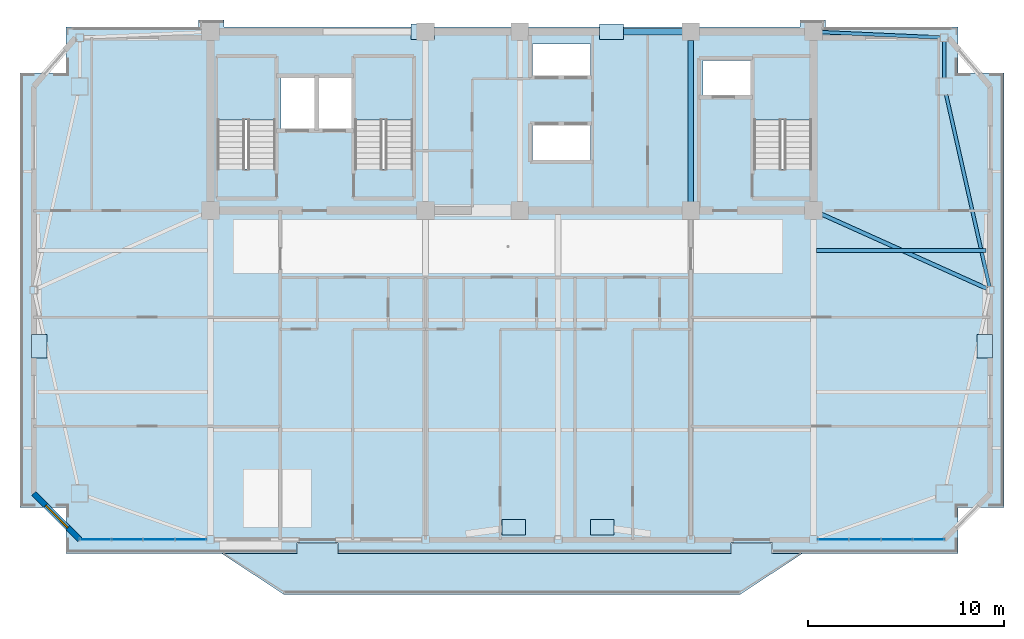
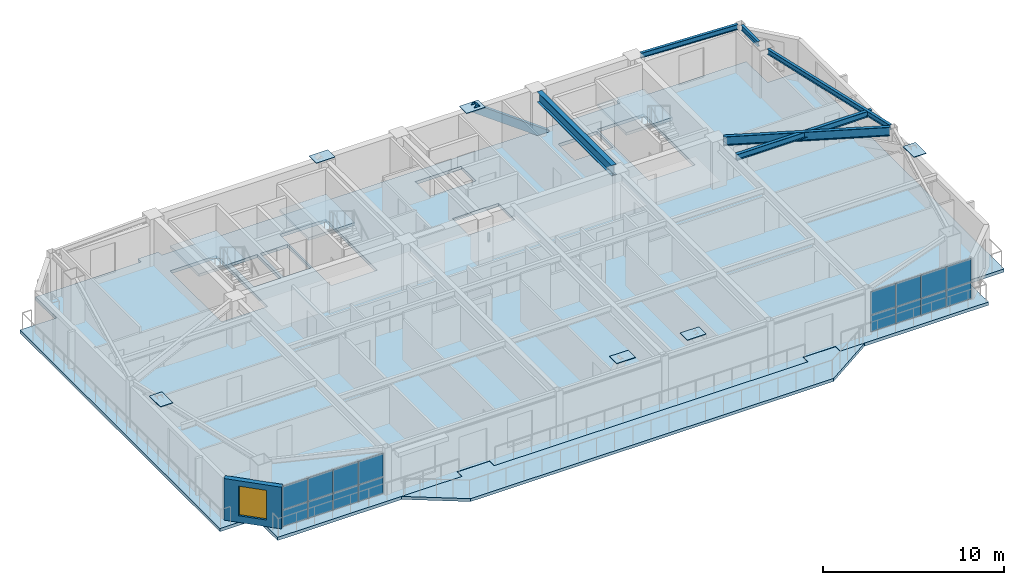
# One storey, part 5 of 14: 22 plates, 6 beams, 5 slabs, 1 member, 1 wall, 1 window, 1 opening, 5 elements without a shape of their own.
"""IFC4 building model written with IfcOpenShell, lengths in metres."""

from ifc_helpers import new_model, si_unit, direction, frame, frame_2d, origin, origin_2d, place, context, subcontext, project, spatial, polyline, rectangle, hollow_rectangle, i_section, outline, extrude, source, transform, mapped, material, layer, layer_set, material_profile, profile_set, type_object, element, fill, aggregate, save


model = new_model("IFC4")

# Units and contexts
model_context = context("Model", 3, precision=1e-05, world=origin(), true_north=direction((0.0, 1.0)))
body_context = subcontext(model_context, "Body", "Model", "MODEL_VIEW")
ifc_project = project(units=[si_unit("LENGTHUNIT", "METRE"), si_unit("AREAUNIT", "SQUARE_METRE"), si_unit("VOLUMEUNIT", "CUBIC_METRE"), si_unit("PLANEANGLEUNIT", "RADIAN"), si_unit("MASSUNIT", "GRAM", prefix="KILO")], contexts=[model_context])

# Site, building, storey
site_placement = place(None, origin())
site = spatial("IfcSite", under=ifc_project, at=site_placement, CompositionType="ELEMENT")
building_placement = place(site_placement, origin())
building = spatial("IfcBuilding", under=site, at=building_placement, Name="Giltprow Tower", CompositionType="ELEMENT")
storey_placement = place(building_placement, frame((0.0, 0.0, 317.60009765625)))
storey = spatial("IfcBuildingStorey", under=building, at=storey_placement, Name="L82", CompositionType="ELEMENT", Elevation=317.60009765625)

# Beams
ifc_material_1 = material(Name="Structural steel Q355B", Category="steel")
ifc_material_profile_1 = material_profile(ifc_material_1, i_section(OverallWidth=0.300048828125, OverallDepth=0.699951171875, WebThickness=0.012939453125, FlangeThickness=0.02392578125, at=origin_2d()), Name="HN 700x300x13x24")
ifc_profile_set_1 = profile_set([ifc_material_profile_1], Name="Structural steel Q355B")
beam_type_1 = type_object("IfcBeamType", Name="BM-GIRD-HN700", PredefinedType="BEAM", material=ifc_profile_set_1)
shared_shape_1 = source(origin(), body_context, "Body", "SweptSolid", [
    extrude(i_section(OverallWidth=0.300048828125, OverallDepth=0.699951171875, WebThickness=0.012939453125, FlangeThickness=0.02392578125, at=origin_2d()), origin(), (0.0, 0.0, 1.0), 8.22998046875),
])
beam_1_placement = place(storey_placement, frame((44.300048828125, 37.885009765625, 2.8349609375), z_axis=(0.0, 1.0, 0.0), x_axis=(-1.0, 0.0, 0.0)))
element("IfcBeam", 1, at=beam_1_placement, inside=storey, type_object=beam_type_1, Name="L82 Core Tie Girder M3", PredefinedType="BEAM", context=body_context, shape_type="MappedRepresentation", body=[
    mapped(shared_shape_1, transform((0.0, 0.0, 0.0), x_axis=(1.0, 0.0, 0.0), y_axis=(0.0, 1.0, 0.0), z_axis=(0.0, 0.0, 1.0), scale=1.0)),
])
ifc_material_profile_2 = material_profile(ifc_material_1, i_section(OverallWidth=0.175048828125, OverallDepth=0.35009765625, WebThickness=0.007080078125, FlangeThickness=0.010986328125, at=origin_2d()), Name="HN 350x175x7x11")
ifc_profile_set_2 = profile_set([ifc_material_profile_2], Name="Structural steel Q355B")
beam_type_2 = type_object("IfcBeamType", Name="BM-SPAN-HN350", PredefinedType="SPANDREL", material=ifc_profile_set_2)
shared_shape_2 = source(origin(), body_context, "Body", "SweptSolid", [
    extrude(i_section(OverallWidth=0.175048828125, OverallDepth=0.35009765625, WebThickness=0.007080078125, FlangeThickness=0.010986328125, at=origin_2d()), origin(), (0.0, 0.0, 1.0), 10.0009765625),
])
beam_2_placement = place(storey_placement, frame((59.5048828125, 33.58203125, 3.010009765625), z_axis=(-0.22006980481, 0.975484126478, 0.0), x_axis=(-0.975484126478, -0.22006980481, 0.0)))
element("IfcBeam", 2, at=beam_2_placement, inside=storey, type_object=beam_type_2, Name="L82 Perimeter Spandrel Beam E_MID-MC_NE", PredefinedType="SPANDREL", context=body_context, shape_type="MappedRepresentation", body=[
    mapped(shared_shape_2, transform((0.0, 0.0, 0.0), x_axis=(1.0, 0.0, 0.0), y_axis=(0.0, 1.0, 0.0), z_axis=(0.0, 0.0, 1.0), scale=1.0)),
])
shared_shape_3 = source(origin(), body_context, "Body", "SweptSolid", [
    extrude(i_section(OverallWidth=0.175048828125, OverallDepth=0.35009765625, WebThickness=0.007080078125, FlangeThickness=0.010986328125, at=origin_2d()), origin(), (0.0, 0.0, 1.0), 1.867919921875),
])
beam_3_placement = place(storey_placement, frame((57.2080078125, 44.197021484375, 3.010009765625), z_axis=(0.0, 1.0, 0.0), x_axis=(-1.0, 0.0, 0.0)))
element("IfcBeam", 3, at=beam_3_placement, inside=storey, type_object=beam_type_2, Name="L82 Perimeter Spandrel Beam MC_NE-N_E", PredefinedType="SPANDREL", context=body_context, shape_type="MappedRepresentation", body=[
    mapped(shared_shape_3, transform((0.0, 0.0, 0.0), x_axis=(1.0, 0.0, 0.0), y_axis=(0.0, 1.0, 0.0), z_axis=(0.0, 0.0, 1.0), scale=1.0)),
])
shared_shape_4 = source(origin(), body_context, "Body", "SweptSolid", [
    extrude(i_section(OverallWidth=0.175048828125, OverallDepth=0.35009765625, WebThickness=0.007080078125, FlangeThickness=0.010986328125, at=origin_2d()), origin(), (0.0, 0.0, 1.0), 6.0439453125),
])
beam_4_placement = place(storey_placement, frame((50.985107421875, 46.530029296875, 3.010009765625), z_axis=(0.998987029612, -0.044999051837, 0.0), x_axis=(0.044999051837, 0.998987029612, 0.0)))
element("IfcBeam", 4, at=beam_4_placement, inside=storey, type_object=beam_type_2, Name="L82 North Wing Spandrel E", PredefinedType="SPANDREL", context=body_context, shape_type="MappedRepresentation", body=[
    mapped(shared_shape_4, transform((0.0, 0.0, 0.0), x_axis=(1.0, 0.0, 0.0), y_axis=(0.0, 1.0, 0.0), z_axis=(0.0, 0.0, 1.0), scale=1.0)),
])
ifc_material_profile_3 = material_profile(ifc_material_1, i_section(OverallWidth=0.199951171875, OverallDepth=0.60009765625, WebThickness=0.010986328125, FlangeThickness=0.01708984375, at=origin_2d()), Name="HN 600x200x11x17")
ifc_profile_set_3 = profile_set([ifc_material_profile_3], Name="Structural steel Q355B")
beam_type_3 = type_object("IfcBeamType", Name="BM-GIRD-HN600", PredefinedType="BEAM", material=ifc_profile_set_3)
shared_shape_5 = source(origin(), body_context, "Body", "SweptSolid", [
    extrude(i_section(OverallWidth=0.199951171875, OverallDepth=0.60009765625, WebThickness=0.010986328125, FlangeThickness=0.01708984375, at=origin_2d()), origin(), (0.0, 0.0, 1.0), 9.243896484375),
])
beam_5_placement = place(storey_placement, frame((59.376953125, 33.47802734375, 2.885009765625), z_axis=(-0.911941765228, 0.410319652019, 0.0), x_axis=(-0.410319652019, -0.911941765228, 0.0)))
element("IfcBeam", 5, at=beam_5_placement, inside=storey, type_object=beam_type_3, Name="L82 East Wing Primary Girder", PredefinedType="BEAM", context=body_context, shape_type="MappedRepresentation", body=[
    mapped(shared_shape_5, transform((0.0, 0.0, 0.0), x_axis=(1.0, 0.0, 0.0), y_axis=(0.0, 1.0, 0.0), z_axis=(0.0, 0.0, 1.0), scale=1.0)),
])
ifc_material_profile_4 = material_profile(ifc_material_1, i_section(OverallWidth=0.199951171875, OverallDepth=0.39990234375, WebThickness=0.008056640625, FlangeThickness=0.012939453125, at=origin_2d()), Name="HN 400x200x8x13")
ifc_profile_set_4 = profile_set([ifc_material_profile_4], Name="Structural steel Q355B")
beam_type_4 = type_object("IfcBeamType", Name="BM-JOIST-HN400", PredefinedType="JOIST", material=ifc_profile_set_4)
shared_shape_6 = source(origin(), body_context, "Body", "SweptSolid", [
    extrude(i_section(OverallWidth=0.199951171875, OverallDepth=0.39990234375, WebThickness=0.008056640625, FlangeThickness=0.012939453125, at=origin_2d()), origin(), (0.0, 0.0, 1.0), 8.630859375),
])
beam_6_placement = place(storey_placement, frame((50.695068359375, 35.426025390625, 2.98486328125), z_axis=(1.0, 0.0, 0.0), x_axis=(0.0, 1.0, 0.0)))
element("IfcBeam", 6, at=beam_6_placement, inside=storey, type_object=beam_type_4, Name="L82 East Wing Floor Joist 2", PredefinedType="JOIST", context=body_context, shape_type="MappedRepresentation", body=[
    mapped(shared_shape_6, transform((0.0, 0.0, 0.0), x_axis=(1.0, 0.0, 0.0), y_axis=(0.0, 1.0, 0.0), z_axis=(0.0, 0.0, 1.0), scale=1.0)),
])

# Member
ifc_material_2 = material(Name="Structural steel Q420GJC", Category="steel")
ifc_material_profile_5 = material_profile(ifc_material_2, hollow_rectangle(XDim=0.35009765625, YDim=0.5, WallThickness=0.02392578125, at=origin_2d()), Name="RHS 500x350x24")
ifc_profile_set_5 = profile_set([ifc_material_profile_5], Name="Structural steel Q420GJC")
member_type = type_object("IfcMemberType", Name="MBR-MEGA-RHS500", PredefinedType="BRACE", material=ifc_profile_set_5)
shared_shape_7 = source(origin(), body_context, "Body", "SweptSolid", [
    extrude(hollow_rectangle(XDim=0.35009765625, YDim=0.5, WallThickness=0.02392578125, at=origin_2d()), origin(), (0.0, 0.0, 1.0), 5.7734375),
])
member_placement = place(storey_placement, frame((44.93310546875, 46.550048828125, -0.14013671875), z_axis=(-0.808185316057, 0.0, 0.588928259561), x_axis=(0.0, -1.0, 0.0)))
element("IfcMember", 7, at=member_placement, inside=storey, type_object=member_type, Name="L82 Chevron Mega-Brace N-R", PredefinedType="BRACE", context=body_context, shape_type="MappedRepresentation", body=[
    mapped(shared_shape_7, transform((0.0, 0.0, 0.0), x_axis=(1.0, 0.0, 0.0), y_axis=(0.0, 1.0, 0.0), z_axis=(0.0, 0.0, 1.0), scale=1.0)),
])

# Slabs
ifc_material_3 = material(Name="Concrete C40", Category="concrete")
ifc_layer_1 = layer(ifc_material_3, 0.199951171875, Name="Concrete C40")
ifc_layer_set_1 = layer_set([ifc_layer_1], Name="Concrete C40")
slab_type_1 = type_object("IfcSlabType", Name="SLB-BALC-BRONZE-200", PredefinedType="FLOOR", material=ifc_layer_set_1)
slab_1_placement = place(storey_placement, frame((0.0, 0.0, -0.2001953125)))
element("IfcSlab", 8, at=slab_1_placement, inside=storey, type_object=slab_type_1, Name="L82 Bronze Prow Waterfront Balcony Slab", PredefinedType="FLOOR", context=body_context, shape_type="SweptSolid", body=[
    extrude(outline(polyline([(50.0, 20.00390625), (46.800048828125, 17.904052734375), (23.60009765625, 17.904052734375), (20.39990234375, 20.00390625), (24.280029296875, 20.00390625), (24.280029296875, 20.50390625), (26.320068359375, 20.50390625), (26.320068359375, 20.00390625), (46.3798828125, 20.00390625), (46.3798828125, 20.50390625), (48.419921875, 20.50390625), (48.419921875, 20.00390625), (50.0, 20.00390625)])), origin(), (0.0, 0.0, 1.0), 0.2001953125),
])
ifc_layer_2 = layer(ifc_material_3, 0.215087890625, Name="Concrete C40")
ifc_layer_set_2 = layer_set([ifc_layer_2], Name="Concrete C40")
slab_type_2 = type_object("IfcSlabType", Name="SLB-RES-215", PredefinedType="FLOOR", material=ifc_layer_set_2)
slab_2_placement = place(storey_placement, frame((0.0, 0.0, -0.215087890625)))
element("IfcSlab", 9, at=slab_2_placement, inside=storey, type_object=slab_type_2, Name="L82 Structural Composite Floor Slab", PredefinedType="FLOOR", context=body_context, shape_type="SweptSolid", body=[
    extrude(outline(polyline([(60.24609375, 44.4619140625), (60.24609375, 22.342041015625), (57.907958984375, 22.342041015625), (57.907958984375, 20.00390625), (48.449951171875, 20.00390625), (48.449951171875, 20.52392578125), (46.35009765625, 20.52392578125), (46.35009765625, 20.00390625), (26.35009765625, 20.00390625), (26.35009765625, 20.52392578125), (24.25, 20.52392578125), (24.25, 20.00390625), (12.492919921875, 20.00390625), (12.492919921875, 22.342041015625), (10.155029296875, 22.342041015625), (10.155029296875, 44.4619140625), (12.492919921875, 44.4619140625), (12.492919921875, 46.800048828125), (19.25, 46.800048828125), (19.25, 47.14990234375), (20.550048828125, 47.14990234375), (20.550048828125, 46.800048828125), (49.85009765625, 46.800048828125), (49.85009765625, 47.14990234375), (51.14990234375, 47.14990234375), (51.14990234375, 46.800048828125), (57.907958984375, 46.800048828125), (57.907958984375, 44.4619140625), (60.24609375, 44.4619140625)]), holes=[polyline([(39.18994140625, 41.800048828125), (36.239990234375, 41.800048828125), (36.239990234375, 40.0), (39.18994140625, 40.0), (39.18994140625, 41.800048828125)]), polyline([(23.159912109375, 39.570068359375), (23.159912109375, 45.25), (20.199951171875, 45.25), (20.199951171875, 39.570068359375), (23.159912109375, 39.570068359375)]), polyline([(30.159912109375, 39.570068359375), (30.159912109375, 45.25), (27.199951171875, 45.25), (27.199951171875, 39.570068359375), (30.159912109375, 39.570068359375)]), polyline([(50.4599609375, 45.25), (47.5, 45.25), (47.5, 39.570068359375), (50.4599609375, 39.570068359375), (50.4599609375, 45.25)]), polyline([(25.169921875, 44.199951171875), (23.449951171875, 44.199951171875), (23.449951171875, 41.60009765625), (25.169921875, 41.60009765625), (25.169921875, 44.199951171875)]), polyline([(27.10009765625, 44.199951171875), (25.35009765625, 44.199951171875), (25.35009765625, 41.60009765625), (27.10009765625, 41.60009765625), (27.10009765625, 44.199951171875)]), polyline([(47.3798828125, 43.300048828125), (47.3798828125, 45.10009765625), (44.919921875, 45.10009765625), (44.919921875, 43.300048828125), (47.3798828125, 43.300048828125)]), polyline([(39.18994140625, 44.300048828125), (39.18994140625, 45.919921875), (36.239990234375, 45.919921875), (36.239990234375, 44.300048828125), (39.18994140625, 44.300048828125)])]), origin(), (0.0, 0.0, 1.0), 0.215087890625),
])

# Stair, slab
stair_type_1 = type_object("IfcStairType", Name="STR-ST-1", PredefinedType="HALF_TURN_STAIR", material=ifc_material_3)
stair_1_placement = place(storey_placement, origin())
stair_1 = element("IfcStair", 10, at=stair_1_placement, inside=storey, type_object=stair_type_1, Name="L82 Core Exit Stair ST-1", PredefinedType="HALF_TURN_STAIR")
ifc_layer_3 = layer(ifc_material_3, 0.179931640625, Name="Concrete C40")
ifc_layer_set_3 = layer_set([ifc_layer_3], Name="Concrete C40")
slab_type_3 = type_object("IfcSlabType", Name="SLD-ST-1", PredefinedType="LANDING", material=ifc_layer_set_3)
slab_3_placement = place(storey_placement, frame((0.0, 0.0, 1.52001953125)))
slab_3 = element("IfcSlab", 11, at=slab_3_placement, type_object=slab_type_3, Name="ST-1 landing 1", PredefinedType="LANDING", context=body_context, shape_type="SweptSolid", body=[
    extrude(outline(polyline([(23.159912109375, 42.070068359375), (23.159912109375, 45.25), (20.199951171875, 45.25), (20.199951171875, 42.070068359375), (23.159912109375, 42.070068359375)])), origin(), (0.0, 0.0, 1.0), 0.179931640625),
])
aggregate(stair_1, [slab_3])

stair_type_2 = type_object("IfcStairType", Name="STR-ST-2", PredefinedType="HALF_TURN_STAIR", material=ifc_material_3)
stair_2_placement = place(storey_placement, origin())
stair_2 = element("IfcStair", 12, at=stair_2_placement, inside=storey, type_object=stair_type_2, Name="L82 Core Exit Stair ST-2", PredefinedType="HALF_TURN_STAIR")
ifc_layer_4 = layer(ifc_material_3, 0.18798828125, Name="Concrete C40")
ifc_layer_set_4 = layer_set([ifc_layer_4], Name="Concrete C40")
slab_type_4 = type_object("IfcSlabType", Name="SLD-ST-2", PredefinedType="LANDING", material=ifc_layer_set_4)
slab_4_placement = place(storey_placement, frame((0.0, 0.0, 1.511962890625)))
slab_4 = element("IfcSlab", 13, at=slab_4_placement, type_object=slab_type_4, Name="ST-2 landing 1", PredefinedType="LANDING", context=body_context, shape_type="SweptSolid", body=[
    extrude(outline(polyline([(30.159912109375, 42.070068359375), (30.159912109375, 45.25), (27.199951171875, 45.25), (27.199951171875, 42.070068359375), (30.159912109375, 42.070068359375)])), origin(), (0.0, 0.0, 1.0), 0.18798828125),
])
aggregate(stair_2, [slab_4])

stair_type_3 = type_object("IfcStairType", Name="STR-ST-3", PredefinedType="HALF_TURN_STAIR", material=ifc_material_3)
stair_3_placement = place(storey_placement, origin())
stair_3 = element("IfcStair", 14, at=stair_3_placement, inside=storey, type_object=stair_type_3, Name="L82 Core Exit Stair ST-3", PredefinedType="HALF_TURN_STAIR")
ifc_layer_5 = layer(ifc_material_3, 0.196044921875, Name="Concrete C40")
ifc_layer_set_5 = layer_set([ifc_layer_5], Name="Concrete C40")
slab_type_5 = type_object("IfcSlabType", Name="SLD-ST-3", PredefinedType="LANDING", material=ifc_layer_set_5)
slab_5_placement = place(storey_placement, frame((0.0, 0.0, 1.50390625)))
slab_5 = element("IfcSlab", 15, at=slab_5_placement, type_object=slab_type_5, Name="ST-3 landing 1", PredefinedType="LANDING", context=body_context, shape_type="SweptSolid", body=[
    extrude(outline(polyline([(50.4599609375, 42.070068359375), (50.4599609375, 45.25), (47.5, 45.25), (47.5, 42.070068359375), (50.4599609375, 42.070068359375)])), origin(), (0.0, 0.0, 1.0), 0.196044921875),
])
aggregate(stair_3, [slab_5])

# Plates
plate_type_1 = type_object("IfcPlateType", Name="PLT-CAP-SEAL", PredefinedType="USERDEFINED", material=ifc_material_2)
shared_shape_8 = source(origin(), body_context, "Body", "SweptSolid", [
    extrude(rectangle(XDim=1.199951171875, YDim=0.800048828125, at=origin_2d()), origin(), (0.0, 0.0, 1.0), 0.034912109375),
])
for number, where, z_axis, x_axis, name in (
    (16, (35.300048828125, 21.324951171875, 3.38232421875), (0.0, 0.0, 1.0), (1.0, 0.0, 0.0), "Mega-Brace Node L82-S-LB"),
    (17, (39.800048828125, 21.324951171875, 3.38232421875), (0.0, 0.0, 1.0), (1.0, 0.0, 0.0), "Mega-Brace Node L82-S-RB"),
    (18, (30.6669921875, 46.550048828125, 3.24267578125), (0.0, 0.0, 1.0), (1.0, 0.0, 0.0), "Mega-Brace Node L82-N-LB"),
    (19, (40.26708984375, 46.550048828125, 3.24267578125), (0.0, 0.0, 1.0), (1.0, 0.0, 0.0), "Mega-Brace Node L82-N-RB"),
    (20, (11.132080078125, 30.5390625, 3.38232421875), (0.0, 0.0, 1.0), (0.0, 1.0, 0.0), "Mega-Brace Node L82-W-DB"),
    (21, (59.26904296875, 30.5390625, 3.38232421875), (0.0, 0.0, 1.0), (0.0, 1.0, 0.0), "Mega-Brace Node L82-E-DB"),
):
    element("IfcPlate", number, at=place(storey_placement, frame(where, z_axis=z_axis, x_axis=x_axis)), inside=storey, type_object=plate_type_1, Name=name, ObjectType="SPLICE", PredefinedType="USERDEFINED", context=body_context, shape_type="MappedRepresentation", body=[
        mapped(shared_shape_8, transform((0.0, 0.0, 0.0), x_axis=(1.0, 0.0, 0.0), y_axis=(0.0, 1.0, 0.0), z_axis=(0.0, 0.0, 1.0), scale=1.0)),
    ])

# Curtain wall, plates
ifc_material_4 = material(Name="Anodized bronze", Category="metal")
ifc_layer_6 = layer(ifc_material_4, 0.179931640625, Name="Anodized bronze")
ifc_layer_set_6 = layer_set([ifc_layer_6], Name="Anodized bronze")
curtain_wall_type = type_object("IfcCurtainWallType", Name="CW-RES-SKY", PredefinedType="NOTDEFINED", material=ifc_layer_set_6)
curtain_wall_1_placement = place(storey_placement, origin())
curtain_wall_1 = element("IfcCurtainWall", 22, at=curtain_wall_1_placement, inside=storey, type_object=curtain_wall_type, Name="L82 South Recessed Curtain Wall 1", PredefinedType="NOTDEFINED")
ifc_material_5 = material(Name="Insulated glass", Category="glass")
plate_type_2 = type_object("IfcPlateType", Name="CW-PANEL-IGU-28", PredefinedType="CURTAIN_PANEL", material=ifc_material_5)
shared_shape_9 = source(origin(), body_context, "Body", "SweptSolid", [
    extrude(rectangle(XDim=1.583984375, YDim=0.028076171875, at=origin_2d()), origin(), (0.0, 0.0, 1.0), 1.114013671875),
])
plate_1_placement = place(storey_placement, frame((14.0, 20.7041015625, 0.0537109375), z_axis=(0.0, 0.0, 1.0), x_axis=(1.0, 0.0, 0.0)))
plate_1 = element("IfcPlate", 23, at=plate_1_placement, type_object=plate_type_2, Name="L82 South Recessed Curtain Wall 1 Glazing Panel 1-1", PredefinedType="CURTAIN_PANEL", context=body_context, shape_type="MappedRepresentation", body=[
    mapped(shared_shape_9, transform((0.0, 0.0, 0.0), x_axis=(1.0, 0.0, 0.0), y_axis=(0.0, 1.0, 0.0), z_axis=(0.0, 0.0, 1.0), scale=1.0)),
])
plate_2_placement = place(storey_placement, frame((15.614013671875, 20.7041015625, 0.0537109375), z_axis=(0.0, 0.0, 1.0), x_axis=(1.0, 0.0, 0.0)))
plate_2 = element("IfcPlate", 24, at=plate_2_placement, type_object=plate_type_2, Name="L82 South Recessed Curtain Wall 1 Glazing Panel 2-1", PredefinedType="CURTAIN_PANEL", context=body_context, shape_type="MappedRepresentation", body=[
    mapped(shared_shape_9, transform((0.0, 0.0, 0.0), x_axis=(1.0, 0.0, 0.0), y_axis=(0.0, 1.0, 0.0), z_axis=(0.0, 0.0, 1.0), scale=1.0)),
])
plate_3_placement = place(storey_placement, frame((17.22900390625, 20.7041015625, 0.0537109375), z_axis=(0.0, 0.0, 1.0), x_axis=(1.0, 0.0, 0.0)))
plate_3 = element("IfcPlate", 25, at=plate_3_placement, type_object=plate_type_2, Name="L82 South Recessed Curtain Wall 1 Glazing Panel 3-1", PredefinedType="CURTAIN_PANEL", context=body_context, shape_type="MappedRepresentation", body=[
    mapped(shared_shape_9, transform((0.0, 0.0, 0.0), x_axis=(1.0, 0.0, 0.0), y_axis=(0.0, 1.0, 0.0), z_axis=(0.0, 0.0, 1.0), scale=1.0)),
])
plate_4_placement = place(storey_placement, frame((18.843017578125, 20.7041015625, 0.0537109375), z_axis=(0.0, 0.0, 1.0), x_axis=(1.0, 0.0, 0.0)))
plate_4 = element("IfcPlate", 26, at=plate_4_placement, type_object=plate_type_2, Name="L82 South Recessed Curtain Wall 1 Glazing Panel 4-1", PredefinedType="CURTAIN_PANEL", context=body_context, shape_type="MappedRepresentation", body=[
    mapped(shared_shape_9, transform((0.0, 0.0, 0.0), x_axis=(1.0, 0.0, 0.0), y_axis=(0.0, 1.0, 0.0), z_axis=(0.0, 0.0, 1.0), scale=1.0)),
])

# Curtain wall, plate
curtain_wall_2_placement = place(storey_placement, origin())
curtain_wall_2 = element("IfcCurtainWall", 27, at=curtain_wall_2_placement, inside=storey, type_object=curtain_wall_type, Name="L82 South Recessed Curtain Wall 6", PredefinedType="NOTDEFINED")
plate_5_placement = place(storey_placement, frame((51.556884765625, 20.7041015625, 0.0537109375), z_axis=(0.0, 0.0, 1.0), x_axis=(1.0, 0.0, 0.0)))
plate_5 = element("IfcPlate", 28, at=plate_5_placement, type_object=plate_type_2, Name="L82 South Recessed Curtain Wall 6 Glazing Panel 1-1", PredefinedType="CURTAIN_PANEL", context=body_context, shape_type="MappedRepresentation", body=[
    mapped(shared_shape_9, transform((0.0, 0.0, 0.0), x_axis=(1.0, 0.0, 0.0), y_axis=(0.0, 1.0, 0.0), z_axis=(0.0, 0.0, 1.0), scale=1.0)),
])

# Plate
shared_shape_10 = source(origin(), body_context, "Body", "SweptSolid", [
    extrude(rectangle(XDim=1.583984375, YDim=0.028076171875, at=origin_2d()), origin(), (0.0, 0.0, 1.0), 1.56494140625),
])
plate_6_placement = place(storey_placement, frame((14.0, 20.7041015625, 1.1953125), z_axis=(0.0, 0.0, 1.0), x_axis=(1.0, 0.0, 0.0)))
plate_6 = element("IfcPlate", 29, at=plate_6_placement, type_object=plate_type_2, Name="L82 South Recessed Curtain Wall 1 Glazing Panel 1-2", PredefinedType="CURTAIN_PANEL", context=body_context, shape_type="MappedRepresentation", body=[
    mapped(shared_shape_10, transform((0.0, 0.0, 0.0), x_axis=(1.0, 0.0, 0.0), y_axis=(0.0, 1.0, 0.0), z_axis=(0.0, 0.0, 1.0), scale=1.0)),
])

plate_7_placement = place(storey_placement, frame((15.614013671875, 20.7041015625, 1.1953125), z_axis=(0.0, 0.0, 1.0), x_axis=(1.0, 0.0, 0.0)))
plate_7 = element("IfcPlate", 30, at=plate_7_placement, type_object=plate_type_2, Name="L82 South Recessed Curtain Wall 1 Glazing Panel 2-2", PredefinedType="CURTAIN_PANEL", context=body_context, shape_type="MappedRepresentation", body=[
    mapped(shared_shape_10, transform((0.0, 0.0, 0.0), x_axis=(1.0, 0.0, 0.0), y_axis=(0.0, 1.0, 0.0), z_axis=(0.0, 0.0, 1.0), scale=1.0)),
])

plate_8_placement = place(storey_placement, frame((17.22900390625, 20.7041015625, 1.1953125), z_axis=(0.0, 0.0, 1.0), x_axis=(1.0, 0.0, 0.0)))
plate_8 = element("IfcPlate", 31, at=plate_8_placement, type_object=plate_type_2, Name="L82 South Recessed Curtain Wall 1 Glazing Panel 3-2", PredefinedType="CURTAIN_PANEL", context=body_context, shape_type="MappedRepresentation", body=[
    mapped(shared_shape_10, transform((0.0, 0.0, 0.0), x_axis=(1.0, 0.0, 0.0), y_axis=(0.0, 1.0, 0.0), z_axis=(0.0, 0.0, 1.0), scale=1.0)),
])

plate_9_placement = place(storey_placement, frame((18.843017578125, 20.7041015625, 1.1953125), z_axis=(0.0, 0.0, 1.0), x_axis=(1.0, 0.0, 0.0)))
plate_9 = element("IfcPlate", 32, at=plate_9_placement, type_object=plate_type_2, Name="L82 South Recessed Curtain Wall 1 Glazing Panel 4-2", PredefinedType="CURTAIN_PANEL", context=body_context, shape_type="MappedRepresentation", body=[
    mapped(shared_shape_10, transform((0.0, 0.0, 0.0), x_axis=(1.0, 0.0, 0.0), y_axis=(0.0, 1.0, 0.0), z_axis=(0.0, 0.0, 1.0), scale=1.0)),
])

aggregate(curtain_wall_1, [plate_1, plate_6, plate_2, plate_7, plate_3, plate_8, plate_4, plate_9])

plate_10_placement = place(storey_placement, frame((51.556884765625, 20.7041015625, 1.1953125), z_axis=(0.0, 0.0, 1.0), x_axis=(1.0, 0.0, 0.0)))
plate_10 = element("IfcPlate", 33, at=plate_10_placement, type_object=plate_type_2, Name="L82 South Recessed Curtain Wall 6 Glazing Panel 1-2", PredefinedType="CURTAIN_PANEL", context=body_context, shape_type="MappedRepresentation", body=[
    mapped(shared_shape_10, transform((0.0, 0.0, 0.0), x_axis=(1.0, 0.0, 0.0), y_axis=(0.0, 1.0, 0.0), z_axis=(0.0, 0.0, 1.0), scale=1.0)),
])

shared_shape_11 = source(origin(), body_context, "Body", "SweptSolid", [
    extrude(rectangle(XDim=1.5849609375, YDim=0.028076171875, at=origin_2d()), origin(), (0.0, 0.0, 1.0), 1.114013671875),
])
plate_11_placement = place(storey_placement, frame((53.172119140625, 20.7041015625, 0.0537109375), z_axis=(0.0, 0.0, 1.0), x_axis=(1.0, 0.0, 0.0)))
plate_11 = element("IfcPlate", 34, at=plate_11_placement, type_object=plate_type_2, Name="L82 South Recessed Curtain Wall 6 Glazing Panel 2-1", PredefinedType="CURTAIN_PANEL", context=body_context, shape_type="MappedRepresentation", body=[
    mapped(shared_shape_11, transform((0.0, 0.0, 0.0), x_axis=(1.0, 0.0, 0.0), y_axis=(0.0, 1.0, 0.0), z_axis=(0.0, 0.0, 1.0), scale=1.0)),
])

plate_12_placement = place(storey_placement, frame((54.785888671875, 20.7041015625, 0.0537109375), z_axis=(0.0, 0.0, 1.0), x_axis=(1.0, 0.0, 0.0)))
plate_12 = element("IfcPlate", 35, at=plate_12_placement, type_object=plate_type_2, Name="L82 South Recessed Curtain Wall 6 Glazing Panel 3-1", PredefinedType="CURTAIN_PANEL", context=body_context, shape_type="MappedRepresentation", body=[
    mapped(shared_shape_11, transform((0.0, 0.0, 0.0), x_axis=(1.0, 0.0, 0.0), y_axis=(0.0, 1.0, 0.0), z_axis=(0.0, 0.0, 1.0), scale=1.0)),
])

plate_13_placement = place(storey_placement, frame((56.40087890625, 20.7041015625, 0.0537109375), z_axis=(0.0, 0.0, 1.0), x_axis=(1.0, 0.0, 0.0)))
plate_13 = element("IfcPlate", 36, at=plate_13_placement, type_object=plate_type_2, Name="L82 South Recessed Curtain Wall 6 Glazing Panel 4-1", PredefinedType="CURTAIN_PANEL", context=body_context, shape_type="MappedRepresentation", body=[
    mapped(shared_shape_11, transform((0.0, 0.0, 0.0), x_axis=(1.0, 0.0, 0.0), y_axis=(0.0, 1.0, 0.0), z_axis=(0.0, 0.0, 1.0), scale=1.0)),
])

shared_shape_12 = source(origin(), body_context, "Body", "SweptSolid", [
    extrude(rectangle(XDim=1.5849609375, YDim=0.028076171875, at=origin_2d()), origin(), (0.0, 0.0, 1.0), 1.56494140625),
])
plate_14_placement = place(storey_placement, frame((53.172119140625, 20.7041015625, 1.1953125), z_axis=(0.0, 0.0, 1.0), x_axis=(1.0, 0.0, 0.0)))
plate_14 = element("IfcPlate", 37, at=plate_14_placement, type_object=plate_type_2, Name="L82 South Recessed Curtain Wall 6 Glazing Panel 2-2", PredefinedType="CURTAIN_PANEL", context=body_context, shape_type="MappedRepresentation", body=[
    mapped(shared_shape_12, transform((0.0, 0.0, 0.0), x_axis=(1.0, 0.0, 0.0), y_axis=(0.0, 1.0, 0.0), z_axis=(0.0, 0.0, 1.0), scale=1.0)),
])

plate_15_placement = place(storey_placement, frame((54.785888671875, 20.7041015625, 1.1953125), z_axis=(0.0, 0.0, 1.0), x_axis=(1.0, 0.0, 0.0)))
plate_15 = element("IfcPlate", 38, at=plate_15_placement, type_object=plate_type_2, Name="L82 South Recessed Curtain Wall 6 Glazing Panel 3-2", PredefinedType="CURTAIN_PANEL", context=body_context, shape_type="MappedRepresentation", body=[
    mapped(shared_shape_12, transform((0.0, 0.0, 0.0), x_axis=(1.0, 0.0, 0.0), y_axis=(0.0, 1.0, 0.0), z_axis=(0.0, 0.0, 1.0), scale=1.0)),
])

plate_16_placement = place(storey_placement, frame((56.40087890625, 20.7041015625, 1.1953125), z_axis=(0.0, 0.0, 1.0), x_axis=(1.0, 0.0, 0.0)))
plate_16 = element("IfcPlate", 39, at=plate_16_placement, type_object=plate_type_2, Name="L82 South Recessed Curtain Wall 6 Glazing Panel 4-2", PredefinedType="CURTAIN_PANEL", context=body_context, shape_type="MappedRepresentation", body=[
    mapped(shared_shape_12, transform((0.0, 0.0, 0.0), x_axis=(1.0, 0.0, 0.0), y_axis=(0.0, 1.0, 0.0), z_axis=(0.0, 0.0, 1.0), scale=1.0)),
])

aggregate(curtain_wall_2, [plate_5, plate_10, plate_11, plate_14, plate_12, plate_15, plate_13, plate_16])

# Wall, opening, window
ifc_material_6 = material(Name="Precast concrete C40", Category="concrete")
ifc_layer_7 = layer(ifc_material_6, 0.300048828125, Name="Precast concrete C40")
ifc_layer_set_7 = layer_set([ifc_layer_7], Name="Precast concrete C40")
wall_type = type_object("IfcWallType", Name="EW-NOTCH-CHAMFER-300", PredefinedType="SOLIDWALL", material=ifc_layer_set_7)
wall_placement = place(storey_placement, frame((10.85498046875, 23.0419921875, 0.0), z_axis=(0.0, 0.0, 1.0), x_axis=(0.707143699075, -0.70706986137, 0.0)))
wall = element("IfcWall", 40, at=wall_placement, inside=storey, type_object=wall_type, Name="L82 Corner Notch Wall SW", PredefinedType="SOLIDWALL", context=body_context, shape_type="SweptSolid", body=[
    extrude(rectangle(XDim=3.306396484375, YDim=0.300048828125, at=frame_2d((1.6533203125, 0.0))), origin(), (0.0, 0.0, 1.0), 2.81494140625),
])
opening_placement = place(wall_placement, frame((0.85302734375, 0.0, 0.449951171875)))
opening = element("IfcOpeningElement", 41, at=opening_placement, cuts=wall, Name="Opening WN17", PredefinedType="OPENING", context=body_context, shape_type="SweptSolid", body=[
    extrude(rectangle(XDim=1.60009765625, YDim=2.0, at=frame_2d((0.800048828125, 1.0))), frame((0.0, 0.159912109375, 0.0), z_axis=(0.0, -1.0, 0.0), x_axis=(1.0, 0.0, 0.0)), (0.0, 0.0, 1.0), 0.320068359375),
])
window_type = type_object("IfcWindowType", Name="WN-COR-1600x2000", PartitioningType="SINGLE_PANEL", PredefinedType="WINDOW", material=ifc_material_5)
shared_shape_13 = source(origin(), body_context, "Body", "SweptSolid", [
    extrude(rectangle(XDim=1.60009765625, YDim=2.0, at=frame_2d((0.800048828125, 1.0))), frame((0.0, 0.030029296875, 0.0), z_axis=(0.0, -1.0, 0.0), x_axis=(1.0, 0.0, 0.0)), (0.0, 0.0, 1.0), 0.06005859375),
])
window_placement = place(opening_placement, origin())
window = element("IfcWindow", 42, at=window_placement, inside=storey, type_object=window_type, Name="L82 Corner Notch Window SW", OverallHeight=2.0, OverallWidth=1.60009765625, PartitioningType="SINGLE_PANEL", PredefinedType="WINDOW", context=body_context, shape_type="MappedRepresentation", body=[
    mapped(shared_shape_13, transform((0.0, 0.0, 0.0), x_axis=(1.0, 0.0, 0.0), y_axis=(0.0, 1.0, 0.0), z_axis=(0.0, 0.0, 1.0), scale=1.0)),
])
fill(opening, window)

save(model, "model.ifc")
